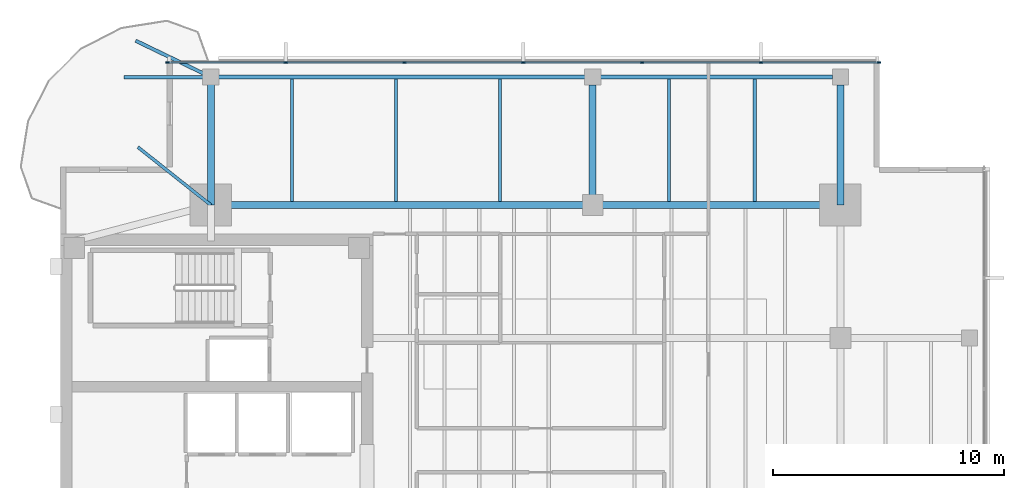
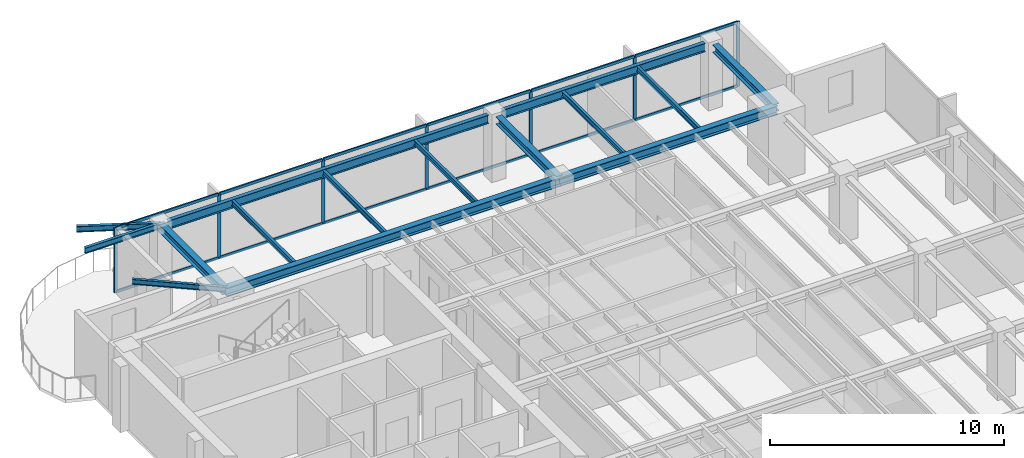
# One storey, part 5 of 14: 19 members, 15 beams, 1 element without a shape of its own.
"""IFC4 building model written with IfcOpenShell, lengths in metres."""

import ifcopenshell
import ifcopenshell.guid

model = None  # the IFC model being written
_history = None  # IfcOwnerHistory: only IFC2X3 demands one
_inside = {}  # id of a spatial element -> (the spatial element, [elements in it])
_under = {}  # id of a project, library or spatial element -> (it, [spatial elements below it])
_declared = {}  # id of a project -> (the project, [libraries it declares])
_typed = {}  # id of a type object -> (the type object, [elements of that type])
_made_of = {}  # id of a material, layer set ... -> (it, [elements and type objects made of it])


def new_model(schema):
    """Start an empty IFC model of exactly this schema.

    Asked for "IFC4X3", IfcOpenShell would pick the latest addendum, in which some entities
    have other attributes; the version numbers below select the first issue.
    IFC2X3 requires an IfcOwnerHistory on every rooted entity: one is made here for all.
    """
    global model, _history
    if schema == "IFC4X3":
        model = ifcopenshell.file(schema_version=(4, 3, 0, 0))
    else:
        model = ifcopenshell.file(schema=schema)
    _inside.clear()
    _under.clear()
    _declared.clear()
    _typed.clear()
    _made_of.clear()
    _history = None
    if model.schema == "IFC2X3":
        org = make("IfcOrganization", Name="unknown")
        user = make(
            "IfcPersonAndOrganization",
            ThePerson=make("IfcPerson", FamilyName="unknown"),
            TheOrganization=org,
        )
        app = make(
            "IfcApplication",
            ApplicationDeveloper=org,
            Version="unknown",
            ApplicationFullName="unknown",
            ApplicationIdentifier="unknown",
        )
        _history = make(
            "IfcOwnerHistory",
            OwningUser=user,
            OwningApplication=app,
            ChangeAction="ADDED",
            CreationDate=0,
        )
    return model


def make(cls, **values):
    """One entity of the class cls with the attributes given. An attribute that is None is left unset."""
    return model.create_entity(
        cls, **{name: value for name, value in values.items() if value is not None}
    )


def rooted(cls, **values):
    """An entity with a GlobalId (a new one), such as an element, a storey or a relation."""
    return make(cls, GlobalId=ifcopenshell.guid.new(), OwnerHistory=_history, **values)


def si_unit(unit_type, name, prefix=None):
    """IfcSIUnit, for example si_unit("LENGTHUNIT", "METRE", prefix="MILLI")."""
    return make("IfcSIUnit", UnitType=unit_type, Prefix=prefix, Name=name)


def assignment(units):
    """IfcUnitAssignment: the units of a project."""
    return None if units is None else make("IfcUnitAssignment", Units=units)


def point(xyz):
    """IfcCartesianPoint."""
    return None if xyz is None else make("IfcCartesianPoint", Coordinates=xyz)


def direction(xyz):
    """IfcDirection."""
    return None if xyz is None else make("IfcDirection", DirectionRatios=xyz)


def frame(location, z_axis=None, x_axis=None):
    """IfcAxis2Placement3D, a coordinate frame: its origin and axes. An axis left out is left unset."""
    return make(
        "IfcAxis2Placement3D",
        Location=point(location),
        Axis=direction(z_axis),
        RefDirection=direction(x_axis),
    )


def frame_2d(location, x_axis=None):
    """IfcAxis2Placement2D, a coordinate frame in the plane: its origin and x axis."""
    return make(
        "IfcAxis2Placement2D", Location=point(location), RefDirection=direction(x_axis)
    )


def origin():
    """The frame at (0, 0, 0) with its axes left unset."""
    return frame((0.0, 0.0, 0.0))


def origin_2d():
    """The frame at (0, 0) in the plane with its x axis left unset."""
    return frame_2d((0.0, 0.0))


def place(relative_to, where):
    """IfcLocalPlacement: puts the frame where relative to a parent placement (None: the world)."""
    return make(
        "IfcLocalPlacement", PlacementRelTo=relative_to, RelativePlacement=where
    )


def context(
    kind, dimensions, precision=None, world=None, true_north=None, identifier=None
):
    """IfcGeometricRepresentationContext, for example the 3D "Model" context."""
    return make(
        "IfcGeometricRepresentationContext",
        ContextIdentifier=identifier,
        ContextType=kind,
        CoordinateSpaceDimension=dimensions,
        Precision=precision,
        WorldCoordinateSystem=world,
        TrueNorth=true_north,
    )


def subcontext(parent, identifier, kind, view, scale=None):
    """IfcGeometricRepresentationSubContext, for example "Body" below "Model"."""
    return make(
        "IfcGeometricRepresentationSubContext",
        ContextIdentifier=identifier,
        ContextType=kind,
        ParentContext=parent,
        TargetScale=scale,
        TargetView=view,
    )


def project(units=None, contexts=None):
    """IfcProject with its units and contexts."""
    return rooted(
        "IfcProject",
        Name="project",
        RepresentationContexts=contexts,
        UnitsInContext=assignment(units),
    )


def spatial(cls, under=None, at=None, **own):
    """A site, building, storey or space (cls), placed at a placement, below another one or the project."""
    s = rooted(cls, ObjectPlacement=at, **own)
    if under is not None:
        _under.setdefault(under.id(), (under, []))[1].append(s)
    return s


def profile(cls, at=None, kind="AREA", **sizes):
    """A parametric profile (cls). Its sizes go by their IFC names, for example OverallWidth=200.0."""
    return make(cls, ProfileType=kind, Position=at, **sizes)


def rectangle(**sizes):
    """IfcRectangleProfileDef."""
    return profile("IfcRectangleProfileDef", **sizes)


def i_section(**sizes):
    """IfcIShapeProfileDef."""
    return profile("IfcIShapeProfileDef", **sizes)


def extrude(swept, where, along, depth):
    """IfcExtrudedAreaSolid: the profile swept, set in the frame where, extruded along a direction by depth."""
    return make(
        "IfcExtrudedAreaSolid",
        SweptArea=swept,
        Position=where,
        ExtrudedDirection=direction(along),
        Depth=depth,
    )


def shape(context_of_items, identifier, shape_type, items):
    """IfcShapeRepresentation: the items that make up one representation, for example the "Body"."""
    return make(
        "IfcShapeRepresentation",
        ContextOfItems=context_of_items,
        RepresentationIdentifier=identifier,
        RepresentationType=shape_type,
        Items=items,
    )


def material(Name=None, Category=None):
    """IfcMaterial."""
    return make("IfcMaterial", Name=Name, Category=Category)


def layer(
    of_material, thickness, ventilated=None, Name=None, Category=None, Priority=None
):
    """IfcMaterialLayer: one layer of a wall or slab, of a material (None: an air gap)."""
    return make(
        "IfcMaterialLayer",
        Material=of_material,
        LayerThickness=thickness,
        IsVentilated=ventilated,
        Name=Name,
        Category=Category,
        Priority=Priority,
    )


def layer_set(layers, Name=None):
    """IfcMaterialLayerSet."""
    return make("IfcMaterialLayerSet", MaterialLayers=layers, LayerSetName=Name)


def material_profile(
    of_material, cross_section, Name=None, Category=None, Priority=None
):
    """IfcMaterialProfile: a cross section and its material."""
    return make(
        "IfcMaterialProfile",
        Name=Name,
        Material=of_material,
        Profile=cross_section,
        Priority=Priority,
        Category=Category,
    )


def profile_set(profiles, Name=None, composite=None):
    """IfcMaterialProfileSet."""
    return make(
        "IfcMaterialProfileSet",
        Name=Name,
        MaterialProfiles=profiles,
        CompositeProfile=composite,
    )


def made_of(thing, what):
    """Note that an element or type object is made of a material, layer set ...; save() writes the relation."""
    if what is not None:
        _made_of.setdefault(what.id(), (what, []))[1].append(thing)
    return thing


def type_object(cls, material=None, **own):
    """A type object (cls), such as IfcWallType, which elements share."""
    return made_of(rooted(cls, **own), material)


def element(
    cls,
    number,
    at=None,
    inside=None,
    cuts=None,
    type_object=None,
    material=None,
    context=None,
    identifier="Body",
    shape_type=None,
    held_by="IfcProductDefinitionShape",
    body=None,
    shapes=None,
    **own,
):
    """One element of the class cls, such as IfcWall. Its Tag is "e" and its number.

    at: its placement. inside: the storey or other place that contains it. cuts: it is an
    opening in that element (IfcRelVoidsElement). A single representation is given by context,
    identifier, shape_type and body (its items); several are given by shapes. held_by: the class
    of the entity that holds the representations. save() writes the other relations.
    """
    e = rooted(cls, Tag="e%d" % number, ObjectPlacement=at, **own)
    if body is not None:
        shapes = [shape(context, identifier, shape_type, body)]
    if shapes is not None:
        e.Representation = make(held_by, Representations=shapes)
    if inside is not None:
        _inside.setdefault(inside.id(), (inside, []))[1].append(e)
    if cuts is not None:
        rooted(
            "IfcRelVoidsElement", RelatingBuildingElement=cuts, RelatedOpeningElement=e
        )
    if type_object is not None:
        _typed.setdefault(type_object.id(), (type_object, []))[1].append(e)
    return made_of(e, material)


def aggregate(whole, parts):
    """IfcRelAggregates: a whole, such as a stair, and the parts it consists of."""
    return rooted("IfcRelAggregates", RelatingObject=whole, RelatedObjects=parts)


def save(model, path):
    """Write the relations noted so far, then the file.

    IfcRelAggregates (storeys below a building ...), IfcRelContainedInSpatialStructure (elements
    in a storey), IfcRelDefinesByType, IfcRelAssociatesMaterial and IfcRelDeclares: one each for
    every whole, place, type object, material and project.
    """
    for whole, parts in _under.values():
        aggregate(whole, parts)
    for where, things in _inside.values():
        rooted(
            "IfcRelContainedInSpatialStructure",
            RelatedElements=things,
            RelatingStructure=where,
        )
    for kind, things in _typed.values():
        rooted("IfcRelDefinesByType", RelatedObjects=things, RelatingType=kind)
    for what, things in _made_of.values():
        rooted("IfcRelAssociatesMaterial", RelatedObjects=things, RelatingMaterial=what)
    for by, libraries in _declared.values():
        rooted("IfcRelDeclares", RelatingContext=by, RelatedDefinitions=libraries)
    model.write(path)


model = new_model("IFC4")

# Units and contexts
model_context = context("Model", 3, precision=1e-05, world=origin(), true_north=direction((0.0, 1.0)))
body_context = subcontext(model_context, "Body", "Model", "MODEL_VIEW")
ifc_project = project(units=[si_unit("LENGTHUNIT", "METRE"), si_unit("AREAUNIT", "SQUARE_METRE"), si_unit("VOLUMEUNIT", "CUBIC_METRE"), si_unit("PLANEANGLEUNIT", "RADIAN"), si_unit("MASSUNIT", "GRAM", prefix="KILO")], contexts=[model_context])

# Site, building, storey
site_placement = place(None, origin())
site = spatial("IfcSite", under=ifc_project, at=site_placement, CompositionType="ELEMENT")
building_placement = place(site_placement, origin())
building = spatial("IfcBuilding", under=site, at=building_placement, Name="Kinhvarn Gate Tower", CompositionType="ELEMENT")
storey_placement = place(building_placement, frame((0.0, 0.0, 259.89990234375)))
storey = spatial("IfcBuildingStorey", under=building, at=storey_placement, Name="L69", CompositionType="ELEMENT", Elevation=259.89990234375)

# Curtain wall, members
ifc_material_1 = material(Name="Anodised aluminium AW-6063", Category="aluminium")
ifc_layer = layer(ifc_material_1, 0.179931640625)
ifc_layer_set = layer_set([ifc_layer], Name="Anodised aluminium AW-6063")
curtain_wall_type = type_object("IfcCurtainWallType", Name="CW-SYS-3", PredefinedType="NOTDEFINED", material=ifc_layer_set)
curtain_wall_placement = place(storey_placement, origin())
curtain_wall = element("IfcCurtainWall", 1, at=curtain_wall_placement, inside=storey, type_object=curtain_wall_type, Name="Curtain Wall CW3 (L69)", PredefinedType="NOTDEFINED")
ifc_material_profile_1 = material_profile(ifc_material_1, rectangle(XDim=0.06494140625, YDim=0.159912109375, at=origin_2d()), Name="ALU 65x160")
ifc_profile_set_1 = profile_set([ifc_material_profile_1], Name="Anodised aluminium AW-6063")
member_type_1 = type_object("IfcMemberType", Name="CW-MUL-160", PredefinedType="MULLION", material=ifc_profile_set_1)
member_1_placement = place(storey_placement, frame((39.867431640625, 43.909912109375, 0.0), z_axis=(0.0, 0.0, 1.0), x_axis=(0.0, -1.0, 0.0)))
member_1 = element("IfcMember", 2, at=member_1_placement, type_object=member_type_1, Name="CW3 mullion 1", PredefinedType="MULLION", context=body_context, shape_type="SweptSolid", body=[
    extrude(rectangle(XDim=0.06494140625, YDim=0.159912109375, at=origin_2d()), origin(), (0.0, 0.0, 1.0), 3.39013671875),
])
member_2_placement = place(storey_placement, frame((34.7666015625, 43.909912109375, 0.0), z_axis=(0.0, 0.0, 1.0), x_axis=(0.0, -1.0, 0.0)))
member_2 = element("IfcMember", 3, at=member_2_placement, type_object=member_type_1, Name="CW3 mullion 2", PredefinedType="MULLION", context=body_context, shape_type="SweptSolid", body=[
    extrude(rectangle(XDim=0.06494140625, YDim=0.159912109375, at=origin_2d()), origin(), (0.0, 0.0, 1.0), 3.39013671875),
])
member_3_placement = place(storey_placement, frame((29.63330078125, 43.909912109375, 0.0), z_axis=(0.0, 0.0, 1.0), x_axis=(0.0, -1.0, 0.0)))
member_3 = element("IfcMember", 4, at=member_3_placement, type_object=member_type_1, Name="CW3 mullion 3", PredefinedType="MULLION", context=body_context, shape_type="SweptSolid", body=[
    extrude(rectangle(XDim=0.06494140625, YDim=0.159912109375, at=origin_2d()), origin(), (0.0, 0.0, 1.0), 3.39013671875),
])
member_4_placement = place(storey_placement, frame((24.5, 43.909912109375, 0.0), z_axis=(0.0, 0.0, 1.0), x_axis=(0.0, -1.0, 0.0)))
member_4 = element("IfcMember", 5, at=member_4_placement, type_object=member_type_1, Name="CW3 mullion 4", PredefinedType="MULLION", context=body_context, shape_type="SweptSolid", body=[
    extrude(rectangle(XDim=0.06494140625, YDim=0.159912109375, at=origin_2d()), origin(), (0.0, 0.0, 1.0), 3.39013671875),
])
member_5_placement = place(storey_placement, frame((19.36669921875, 43.909912109375, 0.0), z_axis=(0.0, 0.0, 1.0), x_axis=(0.0, -1.0, 0.0)))
member_5 = element("IfcMember", 6, at=member_5_placement, type_object=member_type_1, Name="CW3 mullion 5", PredefinedType="MULLION", context=body_context, shape_type="SweptSolid", body=[
    extrude(rectangle(XDim=0.06494140625, YDim=0.159912109375, at=origin_2d()), origin(), (0.0, 0.0, 1.0), 3.39013671875),
])
member_6_placement = place(storey_placement, frame((14.2333984375, 43.909912109375, 0.0), z_axis=(0.0, 0.0, 1.0), x_axis=(0.0, -1.0, 0.0)))
member_6 = element("IfcMember", 7, at=member_6_placement, type_object=member_type_1, Name="CW3 mullion 6", PredefinedType="MULLION", context=body_context, shape_type="SweptSolid", body=[
    extrude(rectangle(XDim=0.06494140625, YDim=0.159912109375, at=origin_2d()), origin(), (0.0, 0.0, 1.0), 3.39013671875),
])
member_7_placement = place(storey_placement, frame((9.132568359375, 43.909912109375, 0.0), z_axis=(0.0, 0.0, 1.0), x_axis=(0.0, -1.0, 0.0)))
member_7 = element("IfcMember", 8, at=member_7_placement, type_object=member_type_1, Name="CW3 mullion 7", PredefinedType="MULLION", context=body_context, shape_type="SweptSolid", body=[
    extrude(rectangle(XDim=0.06494140625, YDim=0.159912109375, at=origin_2d()), origin(), (0.0, 0.0, 1.0), 3.39013671875),
])
ifc_material_profile_2 = material_profile(ifc_material_1, rectangle(XDim=0.070068359375, YDim=0.139892578125, at=origin_2d()), Name="ALU 70x140")
ifc_profile_set_2 = profile_set([ifc_material_profile_2], Name="Anodised aluminium AW-6063")
member_type_2 = type_object("IfcMemberType", Name="CW-TRN-140", PredefinedType="USERDEFINED", material=ifc_profile_set_2)
member_8_placement = place(storey_placement, frame((39.8349609375, 43.909912109375, 0.03515625), z_axis=(-1.0, 0.0, 0.0), x_axis=(0.0, -1.0, 0.0)))
member_8 = element("IfcMember", 9, at=member_8_placement, type_object=member_type_2, Name="CW3 transom 1.1", ObjectType="TRANSOM", PredefinedType="USERDEFINED", context=body_context, shape_type="SweptSolid", body=[
    extrude(rectangle(XDim=0.070068359375, YDim=0.139892578125, at=origin_2d()), origin(), (0.0, 0.0, 1.0), 5.035888671875),
])
member_9_placement = place(storey_placement, frame((39.8349609375, 43.909912109375, 3.35498046875), z_axis=(-1.0, 0.0, 0.0), x_axis=(0.0, -1.0, 0.0)))
member_9 = element("IfcMember", 10, at=member_9_placement, type_object=member_type_2, Name="CW3 transom 1.2", ObjectType="TRANSOM", PredefinedType="USERDEFINED", context=body_context, shape_type="SweptSolid", body=[
    extrude(rectangle(XDim=0.070068359375, YDim=0.139892578125, at=origin_2d()), origin(), (0.0, 0.0, 1.0), 5.035888671875),
])
member_10_placement = place(storey_placement, frame((34.734130859375, 43.909912109375, 0.03515625), z_axis=(-1.0, 0.0, 0.0), x_axis=(0.0, -1.0, 0.0)))
member_10 = element("IfcMember", 11, at=member_10_placement, type_object=member_type_2, Name="CW3 transom 2.1", ObjectType="TRANSOM", PredefinedType="USERDEFINED", context=body_context, shape_type="SweptSolid", body=[
    extrude(rectangle(XDim=0.070068359375, YDim=0.139892578125, at=origin_2d()), origin(), (0.0, 0.0, 1.0), 5.068359375),
])
member_11_placement = place(storey_placement, frame((34.734130859375, 43.909912109375, 3.35498046875), z_axis=(-1.0, 0.0, 0.0), x_axis=(0.0, -1.0, 0.0)))
member_11 = element("IfcMember", 12, at=member_11_placement, type_object=member_type_2, Name="CW3 transom 2.2", ObjectType="TRANSOM", PredefinedType="USERDEFINED", context=body_context, shape_type="SweptSolid", body=[
    extrude(rectangle(XDim=0.070068359375, YDim=0.139892578125, at=origin_2d()), origin(), (0.0, 0.0, 1.0), 5.068359375),
])
member_12_placement = place(storey_placement, frame((29.600830078125, 43.909912109375, 0.03515625), z_axis=(-1.0, 0.0, 0.0), x_axis=(0.0, -1.0, 0.0)))
member_12 = element("IfcMember", 13, at=member_12_placement, type_object=member_type_2, Name="CW3 transom 3.1", ObjectType="TRANSOM", PredefinedType="USERDEFINED", context=body_context, shape_type="SweptSolid", body=[
    extrude(rectangle(XDim=0.070068359375, YDim=0.139892578125, at=origin_2d()), origin(), (0.0, 0.0, 1.0), 5.068359375),
])
member_13_placement = place(storey_placement, frame((29.600830078125, 43.909912109375, 3.35498046875), z_axis=(-1.0, 0.0, 0.0), x_axis=(0.0, -1.0, 0.0)))
member_13 = element("IfcMember", 14, at=member_13_placement, type_object=member_type_2, Name="CW3 transom 3.2", ObjectType="TRANSOM", PredefinedType="USERDEFINED", context=body_context, shape_type="SweptSolid", body=[
    extrude(rectangle(XDim=0.070068359375, YDim=0.139892578125, at=origin_2d()), origin(), (0.0, 0.0, 1.0), 5.068359375),
])
member_14_placement = place(storey_placement, frame((24.467529296875, 43.909912109375, 0.03515625), z_axis=(-1.0, 0.0, 0.0), x_axis=(0.0, -1.0, 0.0)))
member_14 = element("IfcMember", 15, at=member_14_placement, type_object=member_type_2, Name="CW3 transom 4.1", ObjectType="TRANSOM", PredefinedType="USERDEFINED", context=body_context, shape_type="SweptSolid", body=[
    extrude(rectangle(XDim=0.070068359375, YDim=0.139892578125, at=origin_2d()), origin(), (0.0, 0.0, 1.0), 5.068359375),
])
member_15_placement = place(storey_placement, frame((24.467529296875, 43.909912109375, 3.35498046875), z_axis=(-1.0, 0.0, 0.0), x_axis=(0.0, -1.0, 0.0)))
member_15 = element("IfcMember", 16, at=member_15_placement, type_object=member_type_2, Name="CW3 transom 4.2", ObjectType="TRANSOM", PredefinedType="USERDEFINED", context=body_context, shape_type="SweptSolid", body=[
    extrude(rectangle(XDim=0.070068359375, YDim=0.139892578125, at=origin_2d()), origin(), (0.0, 0.0, 1.0), 5.068359375),
])
member_16_placement = place(storey_placement, frame((19.334228515625, 43.909912109375, 0.03515625), z_axis=(-1.0, 0.0, 0.0), x_axis=(0.0, -1.0, 0.0)))
member_16 = element("IfcMember", 17, at=member_16_placement, type_object=member_type_2, Name="CW3 transom 5.1", ObjectType="TRANSOM", PredefinedType="USERDEFINED", context=body_context, shape_type="SweptSolid", body=[
    extrude(rectangle(XDim=0.070068359375, YDim=0.139892578125, at=origin_2d()), origin(), (0.0, 0.0, 1.0), 5.068359375),
])
member_17_placement = place(storey_placement, frame((19.334228515625, 43.909912109375, 3.35498046875), z_axis=(-1.0, 0.0, 0.0), x_axis=(0.0, -1.0, 0.0)))
member_17 = element("IfcMember", 18, at=member_17_placement, type_object=member_type_2, Name="CW3 transom 5.2", ObjectType="TRANSOM", PredefinedType="USERDEFINED", context=body_context, shape_type="SweptSolid", body=[
    extrude(rectangle(XDim=0.070068359375, YDim=0.139892578125, at=origin_2d()), origin(), (0.0, 0.0, 1.0), 5.068359375),
])
member_18_placement = place(storey_placement, frame((14.200927734375, 43.909912109375, 0.03515625), z_axis=(-1.0, 0.0, 0.0), x_axis=(0.0, -1.0, 0.0)))
member_18 = element("IfcMember", 19, at=member_18_placement, type_object=member_type_2, Name="CW3 transom 6.1", ObjectType="TRANSOM", PredefinedType="USERDEFINED", context=body_context, shape_type="SweptSolid", body=[
    extrude(rectangle(XDim=0.070068359375, YDim=0.139892578125, at=origin_2d()), origin(), (0.0, 0.0, 1.0), 5.035888671875),
])
member_19_placement = place(storey_placement, frame((14.200927734375, 43.909912109375, 3.35498046875), z_axis=(-1.0, 0.0, 0.0), x_axis=(0.0, -1.0, 0.0)))
member_19 = element("IfcMember", 20, at=member_19_placement, type_object=member_type_2, Name="CW3 transom 6.2", ObjectType="TRANSOM", PredefinedType="USERDEFINED", context=body_context, shape_type="SweptSolid", body=[
    extrude(rectangle(XDim=0.070068359375, YDim=0.139892578125, at=origin_2d()), origin(), (0.0, 0.0, 1.0), 5.035888671875),
])
aggregate(curtain_wall, [member_1, member_2, member_3, member_4, member_5, member_6, member_7, member_8, member_9, member_10, member_11, member_12, member_13, member_14, member_15, member_16, member_17, member_18, member_19])

# Beams
ifc_material_2 = material(Name="Steel S355", Category="steel")
ifc_material_profile_3 = material_profile(ifc_material_2, i_section(OverallWidth=0.300048828125, OverallDepth=0.39990234375, WebThickness=0.013427734375, FlangeThickness=0.02392578125, at=origin_2d()), Name="HEB 400")
ifc_profile_set_3 = profile_set([ifc_material_profile_3], Name="Steel S355")
beam_type_1 = type_object("IfcBeamType", Name="STL-HEB400", PredefinedType="BEAM", material=ifc_profile_set_3)
beam_1_placement = place(storey_placement, frame((11.0, 37.75, 3.190185546875), z_axis=(0.0, 1.0, 0.0), x_axis=(-1.0, 0.0, 0.0)))
element("IfcBeam", 21, at=beam_1_placement, inside=storey, type_object=beam_type_1, Name="Floor Beam PG-12 (L69 MCW-N)", PredefinedType="BEAM", context=body_context, shape_type="SweptSolid", body=[
    extrude(i_section(OverallWidth=0.300048828125, OverallDepth=0.39990234375, WebThickness=0.013427734375, FlangeThickness=0.02392578125, at=origin_2d()), origin(), (0.0, 0.0, 1.0), 5.530029296875),
])
for number, where, z_axis, x_axis, name in (
    (22, (27.5, 37.75, 3.190185546875), (0.0, 1.0, 0.0), (-1.0, 0.0, 0.0), "Floor Beam PG-12 (L69 SP27-N-TIE)"),
    (23, (38.199951171875, 37.75, 3.190185546875), (0.0, 1.0, 0.0), (-1.0, 0.0, 0.0), "Floor Beam PG-12 (L69 MCE-N)"),
):
    element("IfcBeam", number, at=place(storey_placement, frame(where, z_axis=z_axis, x_axis=x_axis)), inside=storey, type_object=beam_type_1, Name=name, PredefinedType="BEAM", context=body_context, shape_type="SweptSolid", body=[
        extrude(i_section(OverallWidth=0.300048828125, OverallDepth=0.39990234375, WebThickness=0.013427734375, FlangeThickness=0.02392578125, at=origin_2d()), origin(), (0.0, 0.0, 1.0), 5.195068359375),
    ])
ifc_material_profile_4 = material_profile(ifc_material_2, i_section(OverallWidth=0.300048828125, OverallDepth=0.449951171875, WebThickness=0.013916015625, FlangeThickness=0.02587890625, at=origin_2d()), Name="HEB 450")
ifc_profile_set_4 = profile_set([ifc_material_profile_4], Name="Steel S355")
beam_type_2 = type_object("IfcBeamType", Name="STL-HEB450", PredefinedType="BEAM", material=ifc_profile_set_4)
beam_2_placement = place(storey_placement, frame((11.0, 37.75, 3.1650390625), z_axis=(1.0, 0.0, 0.0), x_axis=(0.0, 1.0, 0.0)))
element("IfcBeam", 24, at=beam_2_placement, inside=storey, type_object=beam_type_2, Name="Floor Beam PG-13 (L69 MG-N1)", PredefinedType="BEAM", context=body_context, shape_type="SweptSolid", body=[
    extrude(i_section(OverallWidth=0.300048828125, OverallDepth=0.449951171875, WebThickness=0.013916015625, FlangeThickness=0.02587890625, at=origin_2d()), origin(), (0.0, 0.0, 1.0), 16.5),
])
beam_3_placement = place(storey_placement, frame((27.5, 37.75, 3.1650390625), z_axis=(1.0, 0.0, 0.0), x_axis=(0.0, 1.0, 0.0)))
element("IfcBeam", 25, at=beam_3_placement, inside=storey, type_object=beam_type_2, Name="Floor Beam PG-13 (L69 MG-N2)", PredefinedType="BEAM", context=body_context, shape_type="SweptSolid", body=[
    extrude(i_section(OverallWidth=0.300048828125, OverallDepth=0.449951171875, WebThickness=0.013916015625, FlangeThickness=0.02587890625, at=origin_2d()), origin(), (0.0, 0.0, 1.0), 10.699951171875),
])
ifc_material_profile_5 = material_profile(ifc_material_2, i_section(OverallWidth=0.135009765625, OverallDepth=0.27001953125, WebThickness=0.006591796875, FlangeThickness=0.01025390625, at=origin_2d()), Name="IPE 270")
ifc_profile_set_5 = profile_set([ifc_material_profile_5], Name="Steel S355")
beam_type_3 = type_object("IfcBeamType", Name="STL-IPE270", PredefinedType="JOIST", material=ifc_profile_set_5)
for number, where, z_axis, x_axis, name in (
    (26, (14.5, 37.89990234375, 3.255126953125), (0.0, 1.0, 0.0), (-1.0, 0.0, 0.0), "Floor Joist SB-01 (L69 JN-X145)"),
    (27, (19.0, 37.89990234375, 3.255126953125), (0.0, 1.0, 0.0), (-1.0, 0.0, 0.0), "Floor Joist SB-01 (L69 JN-X190)"),
    (28, (23.5, 37.89990234375, 3.255126953125), (0.0, 1.0, 0.0), (-1.0, 0.0, 0.0), "Floor Joist SB-01 (L69 JN-X235)"),
    (29, (30.800048828125, 37.89990234375, 3.255126953125), (0.0, 1.0, 0.0), (-1.0, 0.0, 0.0), "Floor Joist SB-01 (L69 JN-X308)"),
    (30, (34.5, 37.89990234375, 3.255126953125), (0.0, 1.0, 0.0), (-1.0, 0.0, 0.0), "Floor Joist SB-01 (L69 JN-X345)"),
):
    element("IfcBeam", number, at=place(storey_placement, frame(where, z_axis=z_axis, x_axis=x_axis)), inside=storey, type_object=beam_type_3, Name=name, PredefinedType="JOIST", context=body_context, shape_type="SweptSolid", body=[
        extrude(i_section(OverallWidth=0.135009765625, OverallDepth=0.27001953125, WebThickness=0.006591796875, FlangeThickness=0.01025390625, at=origin_2d()), origin(), (0.0, 0.0, 1.0), 5.28515625),
    ])
beam_4_placement = place(storey_placement, frame((11.0, 37.75, 3.255126953125), z_axis=(-0.783279518214, 0.621669684275, 0.0), x_axis=(-0.621669684275, -0.783279518214, 0.0)))
element("IfcBeam", 31, at=beam_4_placement, inside=storey, type_object=beam_type_3, Name="Floor Joist SB-01 (L69 BAL-B3-L70)", PredefinedType="JOIST", context=body_context, shape_type="SweptSolid", body=[
    extrude(i_section(OverallWidth=0.135009765625, OverallDepth=0.27001953125, WebThickness=0.006591796875, FlangeThickness=0.01025390625, at=origin_2d()), origin(), (0.0, 0.0, 1.0), 4.021484375),
])
ifc_material_profile_6 = material_profile(ifc_material_2, i_section(OverallWidth=0.14990234375, OverallDepth=0.300048828125, WebThickness=0.007080078125, FlangeThickness=0.0107421875, at=origin_2d()), Name="IPE 300")
ifc_profile_set_6 = profile_set([ifc_material_profile_6], Name="Steel S355")
beam_type_4 = type_object("IfcBeamType", Name="STL-IPE300", PredefinedType="JOIST", material=ifc_profile_set_6)
beam_5_placement = place(storey_placement, frame((11.0, 43.280029296875, 3.239990234375), z_axis=(-1.0, 0.0, 0.0), x_axis=(0.0, -1.0, 0.0)))
element("IfcBeam", 32, at=beam_5_placement, inside=storey, type_object=beam_type_4, Name="Floor Joist SB-02 (L69 BAL-B1-L70)", PredefinedType="JOIST", context=body_context, shape_type="SweptSolid", body=[
    extrude(i_section(OverallWidth=0.14990234375, OverallDepth=0.300048828125, WebThickness=0.007080078125, FlangeThickness=0.0107421875, at=origin_2d()), origin(), (0.0, 0.0, 1.0), 3.75),
])
beam_6_placement = place(storey_placement, frame((11.0, 43.280029296875, 3.239990234375), z_axis=(-0.900431975558, 0.434996847567, 0.0), x_axis=(-0.434996847567, -0.900431975558, 0.0)))
element("IfcBeam", 33, at=beam_6_placement, inside=storey, type_object=beam_type_4, Name="Floor Joist SB-02 (L69 BAL-B2-L70)", PredefinedType="JOIST", context=body_context, shape_type="SweptSolid", body=[
    extrude(i_section(OverallWidth=0.14990234375, OverallDepth=0.300048828125, WebThickness=0.007080078125, FlangeThickness=0.0107421875, at=origin_2d()), origin(), (0.0, 0.0, 1.0), 3.609375),
])
ifc_material_profile_7 = material_profile(ifc_material_2, i_section(OverallWidth=0.18994140625, OverallDepth=0.449951171875, WebThickness=0.009521484375, FlangeThickness=0.0146484375, at=origin_2d()), Name="IPE 450")
ifc_profile_set_7 = profile_set([ifc_material_profile_7], Name="Steel S355")
beam_type_5 = type_object("IfcBeamType", Name="STL-IPE450", PredefinedType="JOIST", material=ifc_profile_set_7)
beam_7_placement = place(storey_placement, frame((11.3349609375, 43.280029296875, 3.1650390625), z_axis=(1.0, 0.0, 0.0), x_axis=(0.0, 1.0, 0.0)))
element("IfcBeam", 34, at=beam_7_placement, inside=storey, type_object=beam_type_5, Name="Floor Joist SB-06 (L69 SP-N1)", PredefinedType="JOIST", context=body_context, shape_type="SweptSolid", body=[
    extrude(i_section(OverallWidth=0.18994140625, OverallDepth=0.449951171875, WebThickness=0.009521484375, FlangeThickness=0.0146484375, at=origin_2d()), origin(), (0.0, 0.0, 1.0), 15.830078125),
])
beam_8_placement = place(storey_placement, frame((27.8349609375, 43.280029296875, 3.1650390625), z_axis=(1.0, 0.0, 0.0), x_axis=(0.0, 1.0, 0.0)))
element("IfcBeam", 35, at=beam_8_placement, inside=storey, type_object=beam_type_5, Name="Floor Joist SB-06 (L69 SP-N2)", PredefinedType="JOIST", context=body_context, shape_type="SweptSolid", body=[
    extrude(i_section(OverallWidth=0.18994140625, OverallDepth=0.449951171875, WebThickness=0.009521484375, FlangeThickness=0.0146484375, at=origin_2d()), origin(), (0.0, 0.0, 1.0), 10.030029296875),
])

save(model, "model.ifc")
